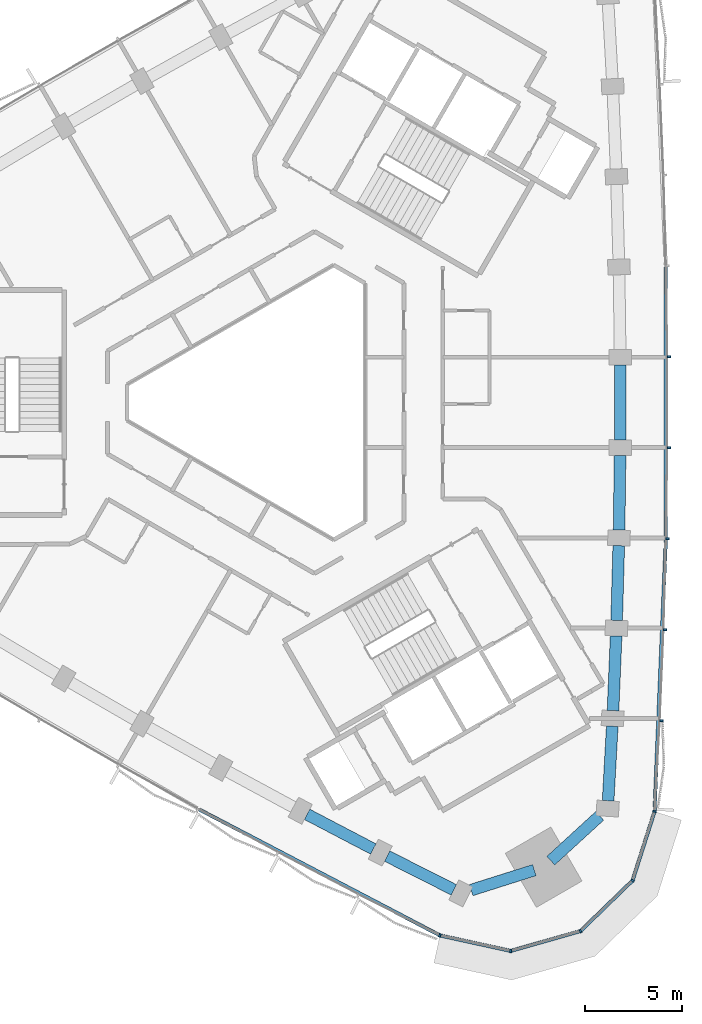
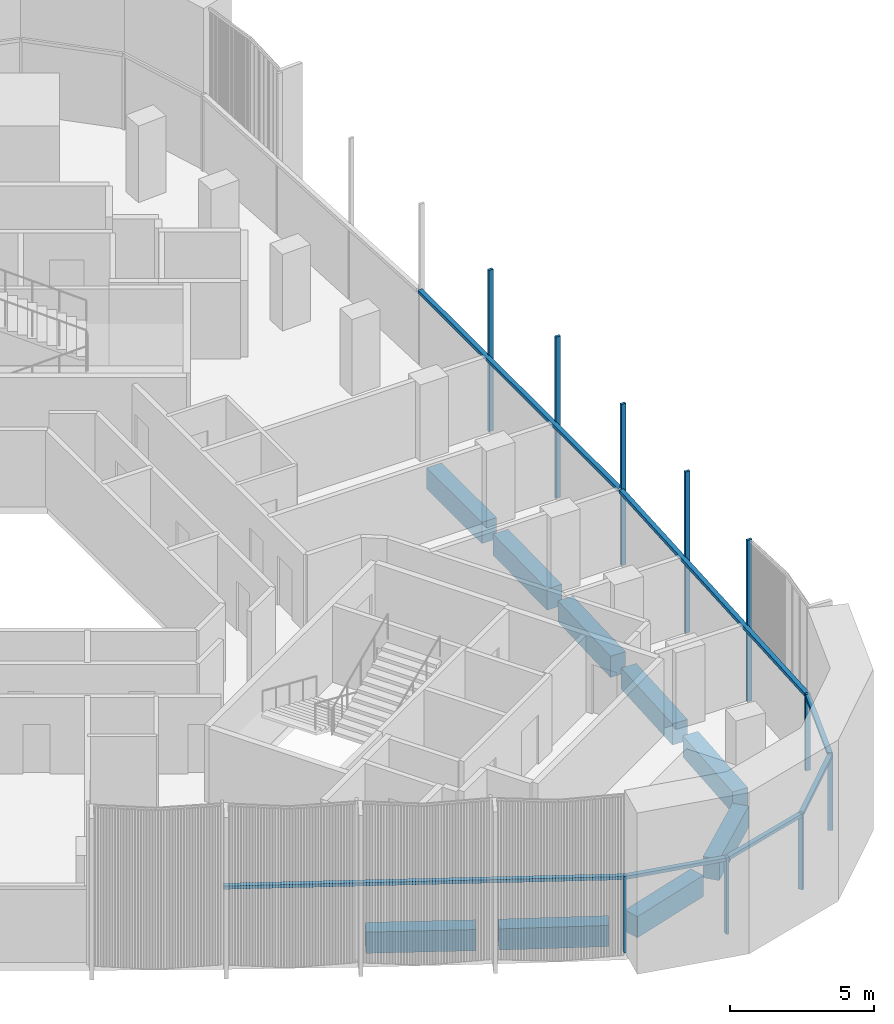
# One storey, part 3 of 14: 17 members, 9 beams, 2 elements without a shape of their own.
"""IFC4 building model written with IfcOpenShell, lengths in metres."""

from ifc_helpers import new_model, si_unit, direction, frame, origin, origin_2d, place, context, subcontext, project, spatial, rectangle, extrude, material, material_profile, profile_set, type_object, element, aggregate, save


model = new_model("IFC4")

# Units and contexts
model_context = context("Model", 3, precision=1e-05, world=origin(), true_north=direction((0.0, 1.0)))
body_context = subcontext(model_context, "Body", "Model", "MODEL_VIEW")
ifc_project = project(units=[si_unit("LENGTHUNIT", "METRE"), si_unit("AREAUNIT", "SQUARE_METRE"), si_unit("VOLUMEUNIT", "CUBIC_METRE"), si_unit("PLANEANGLEUNIT", "RADIAN"), si_unit("MASSUNIT", "GRAM", prefix="KILO")], contexts=[model_context])

# Site, building, storey
site_placement = place(None, origin())
site = spatial("IfcSite", under=ifc_project, at=site_placement, CompositionType="ELEMENT")
building_placement = place(site_placement, origin())
building = spatial("IfcBuilding", under=site, at=building_placement, Name="Tamra Quay Hotel Tower", CompositionType="ELEMENT")
storey_placement = place(building_placement, frame((0.0, 0.0, 197.199951171875)))
storey = spatial("IfcBuildingStorey", under=building, at=storey_placement, Name="L49", CompositionType="ELEMENT", Elevation=197.199951171875)

# Curtain wall, members
ifc_material_1 = material(Name="Aluminium 6063 anodised dark grey", Category="aluminium")
curtain_wall_type_1 = type_object("IfcCurtainWallType", Name="CW1 CURTAIN WALL", PredefinedType="NOTDEFINED", material=ifc_material_1)
curtain_wall_1_placement = place(storey_placement, origin())
curtain_wall_1 = element("IfcCurtainWall", 1, at=curtain_wall_1_placement, inside=storey, type_object=curtain_wall_type_1, Name="CW1 east face L49", PredefinedType="NOTDEFINED")
ifc_material_profile_1 = material_profile(ifc_material_1, rectangle(XDim=0.179931640625, YDim=0.10009765625, at=origin_2d()), Name="MULLION 100X180")
ifc_profile_set_1 = profile_set([ifc_material_profile_1], Name="Aluminium 6063 anodised dark grey")
member_type_1 = type_object("IfcMemberType", Name="MULLION CW1 Z4", PredefinedType="MULLION", material=ifc_profile_set_1)
member_1_placement = place(storey_placement, frame((19.4755859375, -21.00537109375, 0.0), z_axis=(0.0, 0.0, 1.0), x_axis=(0.98350948997, -0.180856526394, 0.0)))
member_1 = element("IfcMember", 2, at=member_1_placement, type_object=member_type_1, Name="CW1 mullion L49.E.1", PredefinedType="MULLION", context=body_context, shape_type="SweptSolid", body=[
    extrude(rectangle(XDim=0.179931640625, YDim=0.10009765625, at=origin_2d()), origin(), (0.0, 0.0, 1.0), 3.25),
])
member_2_placement = place(storey_placement, frame((19.824462890625, -16.346435546875, 0.0), z_axis=(0.0, 0.0, 1.0), x_axis=(0.998822750777, -0.048508891255, 0.0)))
member_2 = element("IfcMember", 3, at=member_2_placement, type_object=member_type_1, Name="CW1 mullion L49.E.2", PredefinedType="MULLION", context=body_context, shape_type="SweptSolid", body=[
    extrude(rectangle(XDim=0.179931640625, YDim=0.10009765625, at=origin_2d()), origin(), (0.0, 0.0, 1.0), 6.85009765625),
])
member_3_placement = place(storey_placement, frame((20.018798828125, -11.677734375, 0.0), z_axis=(0.0, 0.0, 1.0), x_axis=(0.999398564951, -0.034677202512, 0.0)))
member_3 = element("IfcMember", 4, at=member_3_placement, type_object=member_type_1, Name="CW1 mullion L49.E.3", PredefinedType="MULLION", context=body_context, shape_type="SweptSolid", body=[
    extrude(rectangle(XDim=0.179931640625, YDim=0.10009765625, at=origin_2d()), origin(), (0.0, 0.0, 1.0), 6.85009765625),
])
member_4_placement = place(storey_placement, frame((20.1484375, -7.008544921875, 0.0), z_axis=(0.0, 0.0, 1.0), x_axis=(0.999783229349, -0.020820526248, 0.0)))
member_4 = element("IfcMember", 5, at=member_4_placement, type_object=member_type_1, Name="CW1 mullion L49.E.4", PredefinedType="MULLION", context=body_context, shape_type="SweptSolid", body=[
    extrude(rectangle(XDim=0.179931640625, YDim=0.10009765625, at=origin_2d()), origin(), (0.0, 0.0, 1.0), 6.85009765625),
])
member_5_placement = place(storey_placement, frame((20.213134765625, -2.33642578125, 0.0), z_axis=(0.0, 0.0, 1.0), x_axis=(0.999975894313, -0.006943399247, 0.0)))
member_5 = element("IfcMember", 6, at=member_5_placement, type_object=member_type_1, Name="CW1 mullion L49.E.5", PredefinedType="MULLION", context=body_context, shape_type="SweptSolid", body=[
    extrude(rectangle(XDim=0.179931640625, YDim=0.10009765625, at=origin_2d()), origin(), (0.0, 0.0, 1.0), 6.85009765625),
])
member_6_placement = place(storey_placement, frame((20.213134765625, 2.33642578125, 0.0), z_axis=(0.0, 0.0, 1.0), x_axis=(0.999975894313, 0.006943399247, 0.0)))
member_6 = element("IfcMember", 7, at=member_6_placement, type_object=member_type_1, Name="CW1 mullion L49.E.6", PredefinedType="MULLION", context=body_context, shape_type="SweptSolid", body=[
    extrude(rectangle(XDim=0.179931640625, YDim=0.10009765625, at=origin_2d()), origin(), (0.0, 0.0, 1.0), 6.85009765625),
])

curtain_wall_type_2 = type_object("IfcCurtainWallType", Name="CW3 CURTAIN WALL", PredefinedType="NOTDEFINED", material=ifc_material_1)
curtain_wall_2_placement = place(storey_placement, origin())
curtain_wall_2 = element("IfcCurtainWall", 8, at=curtain_wall_2_placement, inside=storey, type_object=curtain_wall_type_2, Name="CW3 south-west face L49", PredefinedType="NOTDEFINED")
ifc_material_profile_2 = material_profile(ifc_material_1, rectangle(XDim=0.179931640625, YDim=0.10009765625, at=origin_2d()), Name="MULLION 100X180")
ifc_profile_set_2 = profile_set([ifc_material_profile_2], Name="Aluminium 6063 anodised dark grey")
member_type_2 = type_object("IfcMemberType", Name="MULLION CW3 Z4", PredefinedType="MULLION", material=ifc_profile_set_2)
member_7_placement = place(storey_placement, frame((8.453369140625, -27.369140625, 0.0), z_axis=(0.0, 0.0, 1.0), x_axis=(-0.335128398687, -0.942172466374, 0.0)))
member_7 = element("IfcMember", 9, at=member_7_placement, type_object=member_type_2, Name="CW3 mullion L49.SW.10", PredefinedType="MULLION", context=body_context, shape_type="SweptSolid", body=[
    extrude(rectangle(XDim=0.179931640625, YDim=0.10009765625, at=origin_2d()), origin(), (0.0, 0.0, 1.0), 3.25),
])
member_8_placement = place(storey_placement, frame((12.091064453125, -28.164794921875, 0.0), z_axis=(0.0, 0.0, 1.0), x_axis=(0.030975337936, -0.999520149091, 0.0)))
member_8 = element("IfcMember", 10, at=member_8_placement, type_object=member_type_2, Name="CW3 mullion L49.SW.11", PredefinedType="MULLION", context=body_context, shape_type="SweptSolid", body=[
    extrude(rectangle(XDim=0.179931640625, YDim=0.10009765625, at=origin_2d()), origin(), (0.0, 0.0, 1.0), 3.25),
])
member_9_placement = place(storey_placement, frame((15.67236328125, -27.145263671875, 0.0), z_axis=(0.0, 0.0, 1.0), x_axis=(0.5, -0.866025403784, 0.0)))
member_9 = element("IfcMember", 11, at=member_9_placement, type_object=member_type_2, Name="CW3 mullion L49.SW.12", PredefinedType="MULLION", context=body_context, shape_type="SweptSolid", body=[
    extrude(rectangle(XDim=0.179931640625, YDim=0.10009765625, at=origin_2d()), origin(), (0.0, 0.0, 1.0), 3.25),
])
member_10_placement = place(storey_placement, frame((18.345947265625, -24.553466796875, 0.0), z_axis=(0.0, 0.0, 1.0), x_axis=(0.85012217174, -0.526585504089, 0.0)))
member_10 = element("IfcMember", 12, at=member_10_placement, type_object=member_type_2, Name="CW3 mullion L49.SW.13", PredefinedType="MULLION", context=body_context, shape_type="SweptSolid", body=[
    extrude(rectangle(XDim=0.179931640625, YDim=0.10009765625, at=origin_2d()), origin(), (0.0, 0.0, 1.0), 3.25),
])

# Beams
ifc_material_2 = material(Name="Concrete M60", Category="concrete")
ifc_material_profile_3 = material_profile(ifc_material_2, rectangle(XDim=0.60009765625, YDim=0.89990234375, at=origin_2d()), Name="SPANDREL BEAM RC 600x900")
ifc_profile_set_3 = profile_set([ifc_material_profile_3], Name="Concrete M60")
beam_type = type_object("IfcBeamType", Name="SPANDREL BEAM RC 600x900", PredefinedType="SPANDREL", material=ifc_profile_set_3)
beam_1_placement = place(storey_placement, frame((17.091796875, -20.456787109375, -0.800048828125), z_axis=(0.055346700292, 0.99846719664, 0.0), x_axis=(-0.99846719664, 0.055346700292, 0.0)))
element("IfcBeam", 13, at=beam_1_placement, inside=storey, type_object=beam_type, Name="BM-SP4-000-L49", PredefinedType="SPANDREL", context=body_context, shape_type="SweptSolid", body=[
    extrude(rectangle(XDim=0.60009765625, YDim=0.89990234375, at=origin_2d()), origin(), (0.0, 0.0, 1.0), 3.837646484375),
])
beam_2_placement = place(storey_placement, frame((17.343017578125, -15.82568359375, -0.800048828125), z_axis=(0.041609373826, 0.999133954988, 0.0), x_axis=(-0.999133954988, 0.041609373826, 0.0)))
element("IfcBeam", 14, at=beam_2_placement, inside=storey, type_object=beam_type, Name="BM-SP4-001-L49", PredefinedType="SPANDREL", context=body_context, shape_type="SweptSolid", body=[
    extrude(rectangle(XDim=0.60009765625, YDim=0.89990234375, at=origin_2d()), origin(), (0.0, 0.0, 1.0), 3.83740234375),
])
beam_3_placement = place(storey_placement, frame((17.530517578125, -11.192138671875, -0.800048828125), z_axis=(0.02773528523, 0.999615302981, 0.0), x_axis=(-0.999615302981, 0.02773528523, 0.0)))
element("IfcBeam", 15, at=beam_3_placement, inside=storey, type_object=beam_type, Name="BM-SP4-002-L49", PredefinedType="SPANDREL", context=body_context, shape_type="SweptSolid", body=[
    extrude(rectangle(XDim=0.60009765625, YDim=0.89990234375, at=origin_2d()), origin(), (0.0, 0.0, 1.0), 3.837890625),
])
for number, where, z_axis, x_axis, name in (
    (16, (17.65380859375, -6.555908203125, -0.800048828125), (0.01380539035, 0.999904701058, 0.0), (-0.999904701058, 0.01380539035, 0.0), "BM-SP4-003-L49"),
    (17, (17.71240234375, -1.918701171875, -0.800048828125), (0.0, 1.0, 0.0), (-1.0, 0.0, 0.0), "BM-SP4-004-L49"),
    (18, (1.6337890625, -21.153564453125, -0.800048828125), (0.886043134182, -0.463602808845, 0.0), (0.463602808845, 0.886043134182, 0.0), "BM-SP4-029-L49"),
):
    element("IfcBeam", number, at=place(storey_placement, frame(where, z_axis=z_axis, x_axis=x_axis)), inside=storey, type_object=beam_type, Name=name, PredefinedType="SPANDREL", context=body_context, shape_type="SweptSolid", body=[
        extrude(rectangle(XDim=0.60009765625, YDim=0.89990234375, at=origin_2d()), origin(), (0.0, 0.0, 1.0), 3.83740234375),
    ])
beam_4_placement = place(storey_placement, frame((5.745361328125, -23.29833984375, -0.800048828125), z_axis=(0.892407883039, -0.451229620359, 0.0), x_axis=(0.451229620359, 0.892407883039, 0.0)))
element("IfcBeam", 19, at=beam_4_placement, inside=storey, type_object=beam_type, Name="BM-SP4-030-L49", PredefinedType="SPANDREL", context=body_context, shape_type="SweptSolid", body=[
    extrude(rectangle(XDim=0.60009765625, YDim=0.89990234375, at=origin_2d()), origin(), (0.0, 0.0, 1.0), 3.837646484375),
])
beam_5_placement = place(storey_placement, frame((10.057373046875, -25.043212890625, -0.800048828125), z_axis=(0.953502415748, 0.301385373174, 0.0), x_axis=(-0.301385373174, 0.953502415748, 0.0)))
element("IfcBeam", 20, at=beam_5_placement, inside=storey, type_object=beam_type, Name="BM-SP4-031-L49", PredefinedType="SPANDREL", context=body_context, shape_type="SweptSolid", body=[
    extrude(rectangle(XDim=0.60009765625, YDim=0.89990234375, at=origin_2d()), origin(), (0.0, 0.0, 1.0), 3.40380859375),
])
beam_6_placement = place(storey_placement, frame((14.14794921875, -23.52978515625, -0.800048828125), z_axis=(0.737716497183, 0.675110635218, 0.0), x_axis=(-0.675110635218, 0.737716497183, 0.0)))
element("IfcBeam", 21, at=beam_6_placement, inside=storey, type_object=beam_type, Name="BM-SP4-032-L49", PredefinedType="SPANDREL", context=body_context, shape_type="SweptSolid", body=[
    extrude(rectangle(XDim=0.60009765625, YDim=0.89990234375, at=origin_2d()), origin(), (0.0, 0.0, 1.0), 3.404296875),
])

# Member
ifc_material_profile_4 = material_profile(ifc_material_1, rectangle(XDim=0.179931640625, YDim=0.139892578125, at=origin_2d()), Name="TRANSOM 180X140")
ifc_profile_set_4 = profile_set([ifc_material_profile_4], Name="Aluminium 6063 anodised dark grey")
member_type_3 = type_object("IfcMemberType", Name="TRANSOM CW1 Z4", PredefinedType="USERDEFINED", material=ifc_profile_set_4)
member_11_placement = place(storey_placement, frame((19.478515625, -20.95556640625, 3.179931640625), z_axis=(0.041576525187, 0.999135322443, 0.0), x_axis=(-0.999135322443, 0.041576525187, 0.0)))
member_11 = element("IfcMember", 22, at=member_11_placement, type_object=member_type_3, Name="CW1 transom L49.E.1", ObjectType="TRANSOM", PredefinedType="USERDEFINED", context=body_context, shape_type="SweptSolid", body=[
    extrude(rectangle(XDim=0.179931640625, YDim=0.139892578125, at=origin_2d()), origin(), (0.0, 0.0, 1.0), 13.910888671875),
])

member_12_placement = place(storey_placement, frame((20.05908203125, -6.956787109375, 3.179931640625), z_axis=(0.0, 1.0, 0.0), x_axis=(-1.0, 0.0, 0.0)))
member_12 = element("IfcMember", 23, at=member_12_placement, type_object=member_type_3, Name="CW1 transom L49.E.4", ObjectType="TRANSOM", PredefinedType="USERDEFINED", context=body_context, shape_type="SweptSolid", body=[
    extrude(rectangle(XDim=0.179931640625, YDim=0.139892578125, at=origin_2d()), origin(), (0.0, 0.0, 1.0), 13.91357421875),
])

aggregate(curtain_wall_1, [member_1, member_11, member_2, member_3, member_4, member_12, member_5, member_6])

ifc_material_profile_5 = material_profile(ifc_material_1, rectangle(XDim=0.179931640625, YDim=0.139892578125, at=origin_2d()), Name="TRANSOM 180X140")
ifc_profile_set_5 = profile_set([ifc_material_profile_5], Name="Aluminium 6063 anodised dark grey")
member_type_4 = type_object("IfcMemberType", Name="TRANSOM CW3 Z4", PredefinedType="USERDEFINED", material=ifc_profile_set_5)
member_13_placement = place(storey_placement, frame((-3.917236328125, -20.898193359375, 3.179931640625), z_axis=(0.886073593198, -0.463544590559, 0.0), x_axis=(0.463544590559, 0.886073593198, 0.0)))
member_13 = element("IfcMember", 24, at=member_13_placement, type_object=member_type_4, Name="CW3 transom L49.SW.7", ObjectType="TRANSOM", PredefinedType="USERDEFINED", context=body_context, shape_type="SweptSolid", body=[
    extrude(rectangle(XDim=0.179931640625, YDim=0.139892578125, at=origin_2d()), origin(), (0.0, 0.0, 1.0), 13.91064453125),
])

member_14_placement = place(storey_placement, frame((8.502197265625, -27.3798828125, 3.179931640625), z_axis=(0.976912322542, -0.21364061895, 0.0), x_axis=(0.21364061895, 0.976912322542, 0.0)))
member_14 = element("IfcMember", 25, at=member_14_placement, type_object=member_type_4, Name="CW3 transom L49.SW.10", ObjectType="TRANSOM", PredefinedType="USERDEFINED", context=body_context, shape_type="SweptSolid", body=[
    extrude(rectangle(XDim=0.179931640625, YDim=0.139892578125, at=origin_2d()), origin(), (0.0, 0.0, 1.0), 3.623779296875),
])

member_15_placement = place(storey_placement, frame((12.13916015625, -28.151123046875, 3.179931640625), z_axis=(0.961782850697, 0.273813345375, 0.0), x_axis=(-0.273813345375, 0.961782850697, 0.0)))
member_15 = element("IfcMember", 26, at=member_15_placement, type_object=member_type_4, Name="CW3 transom L49.SW.11", ObjectType="TRANSOM", PredefinedType="USERDEFINED", context=body_context, shape_type="SweptSolid", body=[
    extrude(rectangle(XDim=0.179931640625, YDim=0.139892578125, at=origin_2d()), origin(), (0.0, 0.0, 1.0), 3.62353515625),
])

member_16_placement = place(storey_placement, frame((15.708251953125, -27.110595703125, 3.179931640625), z_axis=(0.718003439243, 0.696039554361, 0.0), x_axis=(-0.696039554361, 0.718003439243, 0.0)))
member_16 = element("IfcMember", 27, at=member_16_placement, type_object=member_type_4, Name="CW3 transom L49.SW.12", ObjectType="TRANSOM", PredefinedType="USERDEFINED", context=body_context, shape_type="SweptSolid", body=[
    extrude(rectangle(XDim=0.179931640625, YDim=0.139892578125, at=origin_2d()), origin(), (0.0, 0.0, 1.0), 3.623779296875),
])

member_17_placement = place(storey_placement, frame((18.361083984375, -24.505859375, 3.179931640625), z_axis=(0.303384410911, 0.952868248614, 0.0), x_axis=(-0.952868248614, 0.303384410911, 0.0)))
member_17 = element("IfcMember", 28, at=member_17_placement, type_object=member_type_4, Name="CW3 transom L49.SW.13", ObjectType="TRANSOM", PredefinedType="USERDEFINED", context=body_context, shape_type="SweptSolid", body=[
    extrude(rectangle(XDim=0.179931640625, YDim=0.139892578125, at=origin_2d()), origin(), (0.0, 0.0, 1.0), 3.623779296875),
])

aggregate(curtain_wall_2, [member_13, member_7, member_14, member_8, member_15, member_9, member_16, member_10, member_17])

save(model, "model.ifc")
